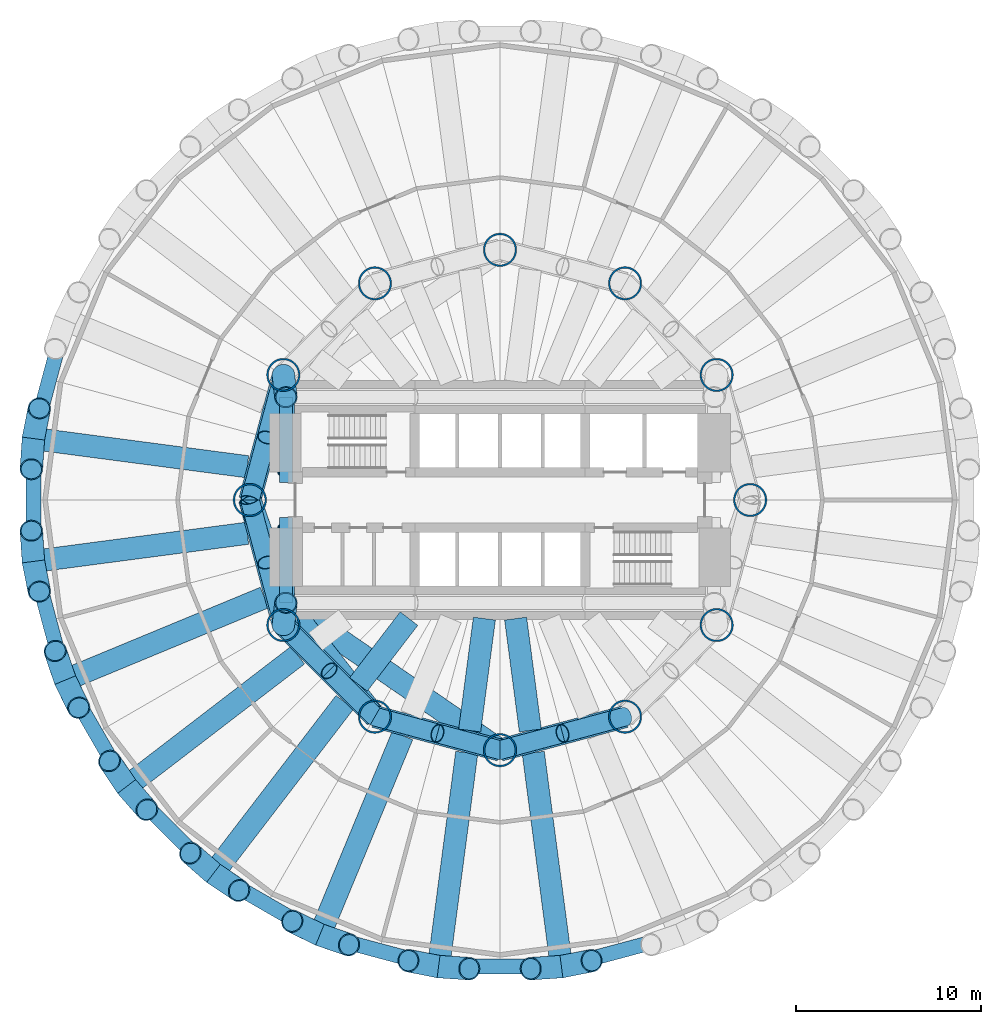
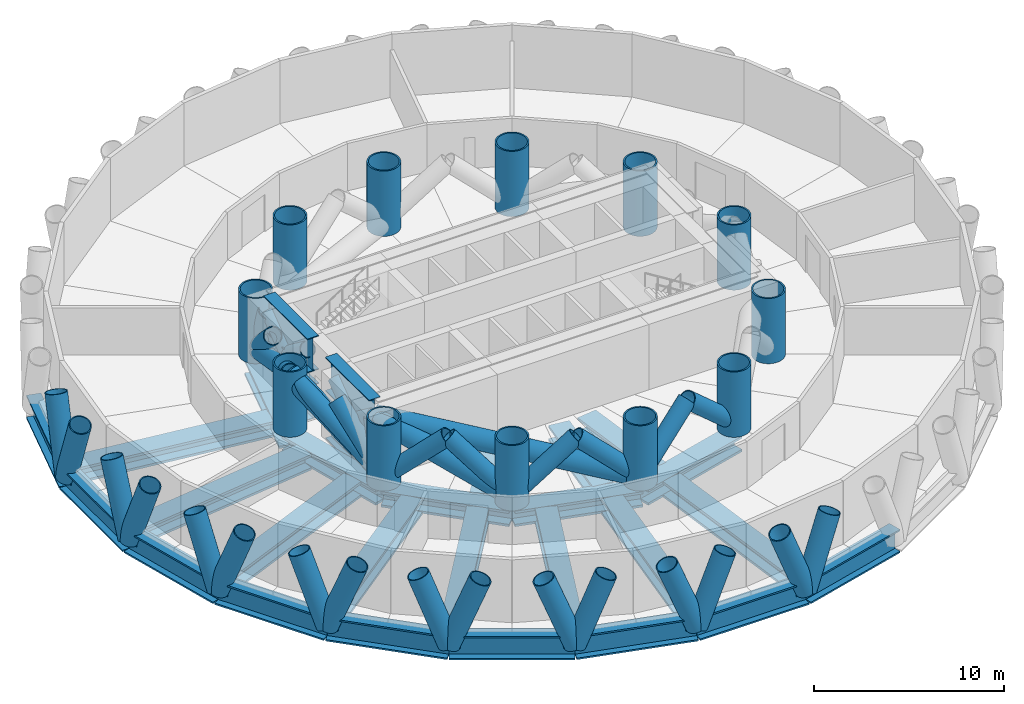
# One storey, part 1 of 7: 35 members, 29 beams, 12 columns.
"""IFC4 building model written with IfcOpenShell, lengths in metres."""

from ifc_helpers import new_model, si_unit, direction, frame, origin, origin_2d, place, context, subcontext, project, spatial, hollow_circle, i_section, extrude, material, material_profile, profile_set, type_object, element, save


model = new_model("IFC4")

# Units and contexts
model_context = context("Model", 3, precision=1e-05, world=origin(), true_north=direction((0.0, 1.0)))
body_context = subcontext(model_context, "Body", "Model", "MODEL_VIEW")
ifc_project = project(units=[si_unit("LENGTHUNIT", "METRE"), si_unit("AREAUNIT", "SQUARE_METRE"), si_unit("VOLUMEUNIT", "CUBIC_METRE"), si_unit("PLANEANGLEUNIT", "RADIAN"), si_unit("MASSUNIT", "GRAM", prefix="KILO")], contexts=[model_context])

# Site, building, storey
site_placement = place(None, origin())
site = spatial("IfcSite", under=ifc_project, at=site_placement, CompositionType="ELEMENT")
building_placement = place(site_placement, origin())
building = spatial("IfcBuilding", under=site, at=building_placement, Name="Qaws Media Tower", CompositionType="ELEMENT")
storey_placement = place(building_placement, frame((0.0, 0.0, 101.60009765625)))
storey = spatial("IfcBuildingStorey", under=building, at=storey_placement, Name="L22", CompositionType="ELEMENT", Elevation=101.60009765625)

# Columns
ifc_material_1 = material(Name="Steel S460", Category="steel")
ifc_material_profile_1 = material_profile(ifc_material_1, hollow_circle(Radius=0.89990234375, WallThickness=0.090087890625, at=origin_2d()), Name="CHS 1800x90")
ifc_profile_set_1 = profile_set([ifc_material_profile_1], Name="Steel S460")
column_type = type_object("IfcColumnType", Name="Inner column CHS 1800x90", PredefinedType="COLUMN", material=ifc_profile_set_1)
for number, where, z_axis, x_axis, name in (
    (1, (73.5, 50.0, 0.0), (0.0, 0.0, 1.0), (1.0, 0.0, 0.0), "C7 inner column I01 L22"),
    (2, (71.69140625, 56.75, 0.0), (0.0, 0.0, 1.0), (1.0, 0.0, 0.0), "C7 inner column I02 L22"),
    (3, (66.75, 61.69140625, 0.0), (0.0, 0.0, 1.0), (1.0, 0.0, 0.0), "C7 inner column I03 L22"),
    (4, (60.0, 63.5, 0.0), (0.0, 0.0, 1.0), (1.0, 0.0, 0.0), "C7 inner column I04 L22"),
    (5, (53.25, 61.69140625, 0.0), (0.0, 0.0, 1.0), (1.0, 0.0, 0.0), "C7 inner column I05 L22"),
    (6, (48.30859375, 56.75, 0.0), (0.0, 0.0, 1.0), (1.0, 0.0, 0.0), "C7 inner column I06 L22"),
    (7, (46.5, 50.0, 0.0), (0.0, 0.0, 1.0), (1.0, 0.0, 0.0), "C7 inner column I07 L22"),
    (8, (48.30859375, 43.25, 0.0), (0.0, 0.0, 1.0), (1.0, 0.0, 0.0), "C7 inner column I08 L22"),
    (9, (53.25, 38.30859375, 0.0), (0.0, 0.0, 1.0), (1.0, 0.0, 0.0), "C7 inner column I09 L22"),
    (10, (60.0, 36.5, 0.0), (0.0, 0.0, 1.0), (1.0, 0.0, 0.0), "C7 inner column I10 L22"),
    (11, (66.75, 38.30859375, 0.0), (0.0, 0.0, 1.0), (1.0, 0.0, 0.0), "C7 inner column I11 L22"),
    (12, (71.69140625, 43.25, 0.0), (0.0, 0.0, 1.0), (1.0, 0.0, 0.0), "C7 inner column I12 L22"),
):
    element("IfcColumn", number, at=place(storey_placement, frame(where, z_axis=z_axis, x_axis=x_axis)), inside=storey, type_object=column_type, Name=name, PredefinedType="COLUMN", context=body_context, shape_type="SweptSolid", body=[
        extrude(hollow_circle(Radius=0.89990234375, WallThickness=0.090087890625, at=origin_2d()), origin(), (0.0, 0.0, 1.0), 4.199951171875),
    ])

# Members
ifc_material_2 = material(Name="Steel S355", Category="steel")
ifc_material_profile_2 = material_profile(ifc_material_2, hollow_circle(Radius=0.508056640625, WallThickness=0.050048828125, at=origin_2d()), Name="CHS 1016x50")
ifc_profile_set_2 = profile_set([ifc_material_profile_2], Name="Steel S355")
member_type_1 = type_object("IfcMemberType", Name="Belt truss diagonal CHS 1016x50", PredefinedType="BRACE", material=ifc_profile_set_2)
member_1_placement = place(storey_placement, frame((48.30859375, 56.75, 0.39990234375), z_axis=(-0.19250251089, -0.718454295502, 0.668405721531), x_axis=(0.965928090778, -0.258810593767, 0.0)))
element("IfcMember", 13, at=member_1_placement, inside=storey, type_object=member_type_1, Name="BT1 belt diagonal L22 I06 to bay I06-I07 apex", PredefinedType="BRACE", context=body_context, shape_type="SweptSolid", body=[
    extrude(hollow_circle(Radius=0.508056640625, WallThickness=0.050048828125, at=origin_2d()), origin(), (0.0, 0.0, 1.0), 4.697509765625),
])
for number, where, z_axis, x_axis, name in (
    (14, (48.30859375, 56.75, 0.39990234375), (-0.23607497664, -0.881074642836, 0.409848849158), (0.965928090778, -0.258810593767, 0.0), "BT1 belt diagonal L22 I06 to the head over I07"),
    (15, (48.30859375, 43.25, 0.39990234375), (-0.23607497664, 0.881074642836, 0.409848849158), (-0.965928090778, -0.258810593767, 0.0), "BT1 belt diagonal L22 I08 to the head over I07"),
):
    element("IfcMember", number, at=place(storey_placement, frame(where, z_axis=z_axis, x_axis=x_axis)), inside=storey, type_object=member_type_1, Name=name, PredefinedType="BRACE", context=body_context, shape_type="SweptSolid", body=[
        extrude(hollow_circle(Radius=0.508056640625, WallThickness=0.050048828125, at=origin_2d()), origin(), (0.0, 0.0, 1.0), 7.6611328125),
    ])
for number, where, z_axis, x_axis, name in (
    (16, (48.30859375, 43.25, 0.39990234375), (-0.19250251089, 0.718454295502, 0.668405721531), (-0.965928090778, -0.258810593767, 0.0), "BT1 belt diagonal L22 I08 to bay I07-I08 apex"),
    (17, (48.30859375, 43.25, 0.39990234375), (0.525947375075, -0.525947375075, 0.668400117672), (0.707106781187, 0.707106781187, 0.0), "BT1 belt diagonal L22 I08 to bay I08-I09 apex"),
    (18, (53.25, 38.30859375, 0.39990234375), (-0.525947375075, 0.525947375075, 0.668400117672), (-0.707106781187, -0.707106781187, 0.0), "BT1 belt diagonal L22 I09 to bay I08-I09 apex"),
    (19, (53.25, 38.30859375, 0.39990234375), (0.718454295502, -0.19250251089, 0.668405721531), (0.258810593767, 0.965928090778, 0.0), "BT1 belt diagonal L22 I09 to bay I09-I10 apex"),
    (20, (60.0, 36.5, 0.39990234375), (-0.718454295502, 0.19250251089, 0.668405721531), (-0.258810593767, -0.965928090778, 0.0), "BT1 belt diagonal L22 I10 to bay I09-I10 apex"),
    (21, (60.0, 36.5, 0.39990234375), (0.718454295502, 0.19250251089, 0.668405721531), (-0.258810593767, 0.965928090778, 0.0), "BT1 belt diagonal L22 I10 to bay I10-I11 apex"),
    (22, (66.75, 38.30859375, 0.39990234375), (-0.718454295502, -0.19250251089, 0.668405721531), (0.258810593767, -0.965928090778, 0.0), "BT1 belt diagonal L22 I11 to bay I10-I11 apex"),
):
    element("IfcMember", number, at=place(storey_placement, frame(where, z_axis=z_axis, x_axis=x_axis)), inside=storey, type_object=member_type_1, Name=name, PredefinedType="BRACE", context=body_context, shape_type="SweptSolid", body=[
        extrude(hollow_circle(Radius=0.508056640625, WallThickness=0.050048828125, at=origin_2d()), origin(), (0.0, 0.0, 1.0), 4.697509765625),
    ])

# Beams
ifc_material_3 = material(Name="Steel S460", Category="steel")
ifc_material_profile_3 = material_profile(ifc_material_3, i_section(OverallWidth=0.699951171875, OverallDepth=2.199951171875, WebThickness=0.028076171875, FlangeThickness=0.06005859375, at=origin_2d()), Name="PG 2200x700")
ifc_profile_set_3 = profile_set([ifc_material_profile_3], Name="Steel S460")
beam_type_1 = type_object("IfcBeamType", Name="Core outrigger truss chord PG 2200x700", PredefinedType="BEAM", material=ifc_profile_set_3)
for number, where, z_axis, x_axis, name in (
    (23, (48.449951171875, 44.449951171875, 0.39990234375), (0.0, 1.0, 0.0), (-1.0, 0.0, 0.0), "CT1 core outrigger truss chord WB1 L22"),
    (24, (48.449951171875, 44.449951171875, 3.449951171875), (0.0, 1.0, 0.0), (-1.0, 0.0, 0.0), "CT1 core outrigger truss chord WT1 L22"),
    (25, (48.449951171875, 50.949951171875, 0.39990234375), (0.0, 1.0, 0.0), (-1.0, 0.0, 0.0), "CT1 core outrigger truss chord WB3 L22"),
    (26, (48.449951171875, 50.949951171875, 3.449951171875), (0.0, 1.0, 0.0), (-1.0, 0.0, 0.0), "CT1 core outrigger truss chord WT3 L22"),
):
    element("IfcBeam", number, at=place(storey_placement, frame(where, z_axis=z_axis, x_axis=x_axis)), inside=storey, type_object=beam_type_1, Name=name, PredefinedType="BEAM", context=body_context, shape_type="SweptSolid", body=[
        extrude(i_section(OverallWidth=0.699951171875, OverallDepth=2.199951171875, WebThickness=0.028076171875, FlangeThickness=0.06005859375, at=origin_2d()), origin(), (0.0, 0.0, 1.0), 4.60009765625),
    ])

# Members
ifc_material_4 = material(Name="Steel S460", Category="steel")
ifc_material_profile_4 = material_profile(ifc_material_4, hollow_circle(Radius=0.45703125, WallThickness=0.044921875, at=origin_2d()), Name="CHS 914x45")
ifc_profile_set_4 = profile_set([ifc_material_profile_4], Name="Steel S460")
member_type_2 = type_object("IfcMemberType", Name="Core outrigger truss diagonal CHS 914x45", PredefinedType="BRACE", material=ifc_profile_set_4)
for number, where, z_axis, x_axis, name in (
    (27, (48.449951171875, 44.449951171875, 0.39990234375), (0.0, 0.798813871515, 0.601578256485), (-1.0, 0.0, 0.0), "CT2 core outrigger truss diagonal W1 L22"),
    (28, (48.449951171875, 48.5, 0.39990234375), (0.0, -0.798813871515, 0.601578256485), (1.0, 0.0, 0.0), "CT2 core outrigger truss diagonal W1b L22"),
    (29, (48.449951171875, 51.5, 0.39990234375), (0.0, 0.798813871515, 0.601578256485), (-1.0, 0.0, 0.0), "CT2 core outrigger truss diagonal W3 L22"),
    (30, (48.449951171875, 55.550048828125, 0.39990234375), (0.0, -0.798813871515, 0.601578256485), (1.0, 0.0, 0.0), "CT2 core outrigger truss diagonal W3b L22"),
):
    element("IfcMember", number, at=place(storey_placement, frame(where, z_axis=z_axis, x_axis=x_axis)), inside=storey, type_object=member_type_2, Name=name, PredefinedType="BRACE", context=body_context, shape_type="SweptSolid", body=[
        extrude(hollow_circle(Radius=0.45703125, WallThickness=0.044921875, at=origin_2d()), origin(), (0.0, 0.0, 1.0), 5.070068359375),
    ])
ifc_material_5 = material(Name="Steel S460", Category="steel")
ifc_material_profile_5 = material_profile(ifc_material_5, hollow_circle(Radius=0.609619140625, WallThickness=0.06005859375, at=origin_2d()), Name="CHS 1219x60")
ifc_profile_set_5 = profile_set([ifc_material_profile_5], Name="Steel S460")
member_type_3 = type_object("IfcMemberType", Name="Diagrid member CHS 1219x60", PredefinedType="USERDEFINED", material=ifc_profile_set_5)
member_2_placement = place(storey_placement, frame((34.8173828125, 53.3154296875, -1.0), z_axis=(-0.024571933581, -0.3602999073, 0.932512840061), x_axis=(0.997682559208, -0.068040510372, 0.0)))
element("IfcMember", 31, at=member_2_placement, inside=storey, type_object=member_type_3, Name="DG1 diagrid L22 A12", ObjectType="DIAGRID", PredefinedType="USERDEFINED", context=body_context, shape_type="SweptSolid", body=[
    extrude(hollow_circle(Radius=0.609619140625, WallThickness=0.06005859375, at=origin_2d()), origin(), (0.0, 0.0, 1.0), 4.600341796875),
])
for number, where, z_axis, x_axis, name in (
    (32, (34.8173828125, 53.3154296875, -1.0), (0.069523813995, 0.354359164921, 0.93252132497), (-0.98129197872, 0.192525459356, 0.0), "DG1 diagrid L22 B12"),
    (33, (34.8173828125, 46.6845703125, -1.0), (0.069523813995, -0.354359164921, 0.93252132497), (0.98129197872, 0.192525459356, 0.0), "DG1 diagrid L22 A13"),
):
    element("IfcMember", number, at=place(storey_placement, frame(where, z_axis=z_axis, x_axis=x_axis)), inside=storey, type_object=member_type_3, Name=name, ObjectType="DIAGRID", PredefinedType="USERDEFINED", context=body_context, shape_type="SweptSolid", body=[
        extrude(hollow_circle(Radius=0.609619140625, WallThickness=0.06005859375, at=origin_2d()), origin(), (0.0, 0.0, 1.0), 4.60009765625),
    ])
member_3_placement = place(storey_placement, frame((34.8173828125, 46.6845703125, -1.0), z_axis=(-0.024571933581, 0.3602999073, 0.932512840061), x_axis=(-0.997682559208, -0.068040510372, 0.0)))
element("IfcMember", 34, at=member_3_placement, inside=storey, type_object=member_type_3, Name="DG1 diagrid L22 B13", ObjectType="DIAGRID", PredefinedType="USERDEFINED", context=body_context, shape_type="SweptSolid", body=[
    extrude(hollow_circle(Radius=0.609619140625, WallThickness=0.06005859375, at=origin_2d()), origin(), (0.0, 0.0, 1.0), 4.600341796875),
])
member_4_placement = place(storey_placement, frame((36.533447265625, 40.27978515625, -1.0), z_axis=(0.158845192173, -0.324271341188, 0.932532199019), x_axis=(0.898042563448, 0.439908574861, 0.0)))
element("IfcMember", 35, at=member_4_placement, inside=storey, type_object=member_type_3, Name="DG1 diagrid L22 A14", ObjectType="DIAGRID", PredefinedType="USERDEFINED", context=body_context, shape_type="SweptSolid", body=[
    extrude(hollow_circle(Radius=0.609619140625, WallThickness=0.06005859375, at=origin_2d()), origin(), (0.0, 0.0, 1.0), 4.60009765625),
])
member_5_placement = place(storey_placement, frame((36.533447265625, 40.27978515625, -1.0), z_axis=(-0.116968678488, 0.341671666109, 0.93251209152), x_axis=(-0.946095269319, -0.323888470578, 0.0)))
element("IfcMember", 36, at=member_5_placement, inside=storey, type_object=member_type_3, Name="DG1 diagrid L22 B14", ObjectType="DIAGRID", PredefinedType="USERDEFINED", context=body_context, shape_type="SweptSolid", body=[
    extrude(hollow_circle(Radius=0.609619140625, WallThickness=0.06005859375, at=origin_2d()), origin(), (0.0, 0.0, 1.0), 4.600341796875),
])
member_6_placement = place(storey_placement, frame((39.848876953125, 34.537353515625, -1.0), z_axis=(0.237390856413, -0.272099915232, 0.932527327976), x_axis=(0.753531878143, 0.657411369404, 0.0)))
element("IfcMember", 37, at=member_6_placement, inside=storey, type_object=member_type_3, Name="DG1 diagrid L22 A15", ObjectType="DIAGRID", PredefinedType="USERDEFINED", context=body_context, shape_type="SweptSolid", body=[
    extrude(hollow_circle(Radius=0.609619140625, WallThickness=0.06005859375, at=origin_2d()), origin(), (0.0, 0.0, 1.0), 4.60009765625),
])
for number, where, z_axis, x_axis, name in (
    (38, (39.848876953125, 34.537353515625, -1.0), (-0.201405781396, 0.299746996923, 0.932516728566), (-0.830032592031, -0.557714887882, 0.0), "DG1 diagrid L22 B15"),
    (39, (44.537353515625, 29.848876953125, -1.0), (0.299746996923, -0.201405781396, 0.932516728566), (0.557714887882, 0.830032592031, 0.0), "DG1 diagrid L22 A16"),
):
    element("IfcMember", number, at=place(storey_placement, frame(where, z_axis=z_axis, x_axis=x_axis)), inside=storey, type_object=member_type_3, Name=name, ObjectType="DIAGRID", PredefinedType="USERDEFINED", context=body_context, shape_type="SweptSolid", body=[
        extrude(hollow_circle(Radius=0.609619140625, WallThickness=0.06005859375, at=origin_2d()), origin(), (0.0, 0.0, 1.0), 4.600341796875),
    ])
member_7_placement = place(storey_placement, frame((44.537353515625, 29.848876953125, -1.0), z_axis=(-0.272099915232, 0.237390856413, 0.932527327976), x_axis=(-0.657411369404, -0.753531878143, 0.0)))
element("IfcMember", 40, at=member_7_placement, inside=storey, type_object=member_type_3, Name="DG1 diagrid L22 B16", ObjectType="DIAGRID", PredefinedType="USERDEFINED", context=body_context, shape_type="SweptSolid", body=[
    extrude(hollow_circle(Radius=0.609619140625, WallThickness=0.06005859375, at=origin_2d()), origin(), (0.0, 0.0, 1.0), 4.60009765625),
])
member_8_placement = place(storey_placement, frame((50.27978515625, 26.533447265625, -1.0), z_axis=(0.341671666109, -0.116968678488, 0.93251209152), x_axis=(0.323888470578, 0.946095269319, 0.0)))
element("IfcMember", 41, at=member_8_placement, inside=storey, type_object=member_type_3, Name="DG1 diagrid L22 A17", ObjectType="DIAGRID", PredefinedType="USERDEFINED", context=body_context, shape_type="SweptSolid", body=[
    extrude(hollow_circle(Radius=0.609619140625, WallThickness=0.06005859375, at=origin_2d()), origin(), (0.0, 0.0, 1.0), 4.600341796875),
])
member_9_placement = place(storey_placement, frame((50.27978515625, 26.533447265625, -1.0), z_axis=(-0.324271341188, 0.158845192173, 0.932532199019), x_axis=(-0.439908574861, -0.898042563448, 0.0)))
element("IfcMember", 42, at=member_9_placement, inside=storey, type_object=member_type_3, Name="DG1 diagrid L22 B17", ObjectType="DIAGRID", PredefinedType="USERDEFINED", context=body_context, shape_type="SweptSolid", body=[
    extrude(hollow_circle(Radius=0.609619140625, WallThickness=0.06005859375, at=origin_2d()), origin(), (0.0, 0.0, 1.0), 4.60009765625),
])
member_10_placement = place(storey_placement, frame((56.6845703125, 24.8173828125, -1.0), z_axis=(0.3602999073, -0.024571933581, 0.932512840061), x_axis=(0.068040510372, 0.997682559208, 0.0)))
element("IfcMember", 43, at=member_10_placement, inside=storey, type_object=member_type_3, Name="DG1 diagrid L22 A18", ObjectType="DIAGRID", PredefinedType="USERDEFINED", context=body_context, shape_type="SweptSolid", body=[
    extrude(hollow_circle(Radius=0.609619140625, WallThickness=0.06005859375, at=origin_2d()), origin(), (0.0, 0.0, 1.0), 4.600341796875),
])
for number, where, z_axis, x_axis, name in (
    (44, (56.6845703125, 24.8173828125, -1.0), (-0.354359164921, 0.069523813995, 0.93252132497), (-0.192525459356, -0.98129197872, 0.0), "DG1 diagrid L22 B18"),
    (45, (63.3154296875, 24.8173828125, -1.0), (0.354359164921, 0.069523813995, 0.93252132497), (-0.192525459356, 0.98129197872, 0.0), "DG1 diagrid L22 A19"),
):
    element("IfcMember", number, at=place(storey_placement, frame(where, z_axis=z_axis, x_axis=x_axis)), inside=storey, type_object=member_type_3, Name=name, ObjectType="DIAGRID", PredefinedType="USERDEFINED", context=body_context, shape_type="SweptSolid", body=[
        extrude(hollow_circle(Radius=0.609619140625, WallThickness=0.06005859375, at=origin_2d()), origin(), (0.0, 0.0, 1.0), 4.60009765625),
    ])
member_11_placement = place(storey_placement, frame((63.3154296875, 24.8173828125, -1.0), z_axis=(-0.3602999073, -0.024571933581, 0.932512840061), x_axis=(0.068040510372, -0.997682559208, 0.0)))
element("IfcMember", 46, at=member_11_placement, inside=storey, type_object=member_type_3, Name="DG1 diagrid L22 B19", ObjectType="DIAGRID", PredefinedType="USERDEFINED", context=body_context, shape_type="SweptSolid", body=[
    extrude(hollow_circle(Radius=0.609619140625, WallThickness=0.06005859375, at=origin_2d()), origin(), (0.0, 0.0, 1.0), 4.600341796875),
])

# Beams
ifc_material_6 = material(Name="Steel S460", Category="steel")
ifc_material_profile_6 = material_profile(ifc_material_6, i_section(OverallWidth=0.800048828125, OverallDepth=1.5, WebThickness=0.0400390625, FlangeThickness=0.10009765625, at=origin_2d()), Name="PG 1500x800")
ifc_profile_set_6 = profile_set([ifc_material_profile_6], Name="Steel S460")
beam_type_2 = type_object("IfcBeamType", Name="Edge ring beam PG 1500x800", PredefinedType="BEAM", material=ifc_profile_set_6)
beam_1_placement = place(storey_placement, frame((36.533447265625, 59.72021484375, -1.0), z_axis=(-0.258806021256, -0.965929315924, 0.0), x_axis=(0.965929315924, -0.258806021256, 0.0)))
element("IfcBeam", 47, at=beam_1_placement, inside=storey, type_object=beam_type_2, Name="RB7 edge ring beam L22-11", PredefinedType="BEAM", context=body_context, shape_type="SweptSolid", body=[
    extrude(i_section(OverallWidth=0.800048828125, OverallDepth=1.5, WebThickness=0.0400390625, FlangeThickness=0.10009765625, at=origin_2d()), origin(), (0.0, 0.0, 1.0), 6.630615234375),
])
beam_2_placement = place(storey_placement, frame((34.8173828125, 53.3154296875, -1.0), z_axis=(0.0, -1.0, 0.0), x_axis=(1.0, 0.0, 0.0)))
element("IfcBeam", 48, at=beam_2_placement, inside=storey, type_object=beam_type_2, Name="RB7 edge ring beam L22-12", PredefinedType="BEAM", context=body_context, shape_type="SweptSolid", body=[
    extrude(i_section(OverallWidth=0.800048828125, OverallDepth=1.5, WebThickness=0.0400390625, FlangeThickness=0.10009765625, at=origin_2d()), origin(), (0.0, 0.0, 1.0), 6.630859375),
])
beam_3_placement = place(storey_placement, frame((34.8173828125, 46.6845703125, -1.0), z_axis=(0.258806021256, -0.965929315924, 0.0), x_axis=(0.965929315924, 0.258806021256, 0.0)))
element("IfcBeam", 49, at=beam_3_placement, inside=storey, type_object=beam_type_2, Name="RB7 edge ring beam L22-13", PredefinedType="BEAM", context=body_context, shape_type="SweptSolid", body=[
    extrude(i_section(OverallWidth=0.800048828125, OverallDepth=1.5, WebThickness=0.0400390625, FlangeThickness=0.10009765625, at=origin_2d()), origin(), (0.0, 0.0, 1.0), 6.630615234375),
])
beam_4_placement = place(storey_placement, frame((36.533447265625, 40.27978515625, -1.0), z_axis=(0.500003985254, -0.866023102884, 0.0), x_axis=(0.866023102884, 0.500003985254, 0.0)))
element("IfcBeam", 50, at=beam_4_placement, inside=storey, type_object=beam_type_2, Name="RB7 edge ring beam L22-14", PredefinedType="BEAM", context=body_context, shape_type="SweptSolid", body=[
    extrude(i_section(OverallWidth=0.800048828125, OverallDepth=1.5, WebThickness=0.0400390625, FlangeThickness=0.10009765625, at=origin_2d()), origin(), (0.0, 0.0, 1.0), 6.630859375),
])
beam_5_placement = place(storey_placement, frame((39.848876953125, 34.537353515625, -1.0), z_axis=(0.707106781187, -0.707106781187, 0.0), x_axis=(0.707106781187, 0.707106781187, 0.0)))
element("IfcBeam", 51, at=beam_5_placement, inside=storey, type_object=beam_type_2, Name="RB7 edge ring beam L22-15", PredefinedType="BEAM", context=body_context, shape_type="SweptSolid", body=[
    extrude(i_section(OverallWidth=0.800048828125, OverallDepth=1.5, WebThickness=0.0400390625, FlangeThickness=0.10009765625, at=origin_2d()), origin(), (0.0, 0.0, 1.0), 6.630615234375),
])
beam_6_placement = place(storey_placement, frame((44.537353515625, 29.848876953125, -1.0), z_axis=(0.866023102884, -0.500003985254, 0.0), x_axis=(0.500003985254, 0.866023102884, 0.0)))
element("IfcBeam", 52, at=beam_6_placement, inside=storey, type_object=beam_type_2, Name="RB7 edge ring beam L22-16", PredefinedType="BEAM", context=body_context, shape_type="SweptSolid", body=[
    extrude(i_section(OverallWidth=0.800048828125, OverallDepth=1.5, WebThickness=0.0400390625, FlangeThickness=0.10009765625, at=origin_2d()), origin(), (0.0, 0.0, 1.0), 6.630859375),
])
beam_7_placement = place(storey_placement, frame((50.27978515625, 26.533447265625, -1.0), z_axis=(0.965929315924, -0.258806021256, 0.0), x_axis=(0.258806021256, 0.965929315924, 0.0)))
element("IfcBeam", 53, at=beam_7_placement, inside=storey, type_object=beam_type_2, Name="RB7 edge ring beam L22-17", PredefinedType="BEAM", context=body_context, shape_type="SweptSolid", body=[
    extrude(i_section(OverallWidth=0.800048828125, OverallDepth=1.5, WebThickness=0.0400390625, FlangeThickness=0.10009765625, at=origin_2d()), origin(), (0.0, 0.0, 1.0), 6.630615234375),
])
beam_8_placement = place(storey_placement, frame((56.6845703125, 24.8173828125, -1.0), z_axis=(1.0, 0.0, 0.0), x_axis=(0.0, 1.0, 0.0)))
element("IfcBeam", 54, at=beam_8_placement, inside=storey, type_object=beam_type_2, Name="RB7 edge ring beam L22-18", PredefinedType="BEAM", context=body_context, shape_type="SweptSolid", body=[
    extrude(i_section(OverallWidth=0.800048828125, OverallDepth=1.5, WebThickness=0.0400390625, FlangeThickness=0.10009765625, at=origin_2d()), origin(), (0.0, 0.0, 1.0), 6.630859375),
])
beam_9_placement = place(storey_placement, frame((63.3154296875, 24.8173828125, -1.0), z_axis=(0.965929315924, 0.258806021256, 0.0), x_axis=(-0.258806021256, 0.965929315924, 0.0)))
element("IfcBeam", 55, at=beam_9_placement, inside=storey, type_object=beam_type_2, Name="RB7 edge ring beam L22-19", PredefinedType="BEAM", context=body_context, shape_type="SweptSolid", body=[
    extrude(i_section(OverallWidth=0.800048828125, OverallDepth=1.5, WebThickness=0.0400390625, FlangeThickness=0.10009765625, at=origin_2d()), origin(), (0.0, 0.0, 1.0), 6.630615234375),
])
ifc_material_7 = material(Name="Steel S460", Category="steel")
ifc_material_profile_7 = material_profile(ifc_material_7, i_section(OverallWidth=1.199951171875, OverallDepth=1.0, WebThickness=0.06005859375, FlangeThickness=0.14990234375, at=origin_2d()), Name="PG 1000x1200")
ifc_profile_set_7 = profile_set([ifc_material_profile_7], Name="Steel S460")
beam_type_3 = type_object("IfcBeamType", Name="Inner ring girder PG 1000x1200", PredefinedType="BEAM", material=ifc_profile_set_7)
for number, where, z_axis, x_axis, name in (
    (56, (48.30859375, 56.75, -0.75), (-0.258810593767, -0.965928090778, 0.0), (0.965928090778, -0.258810593767, 0.0), "B3 inner ring beam L22 I06-I07"),
    (57, (46.5, 50.0, -0.75), (0.258810593767, -0.965928090778, 0.0), (0.965928090778, 0.258810593767, 0.0), "B3 inner ring beam L22 I07-I08"),
):
    element("IfcBeam", number, at=place(storey_placement, frame(where, z_axis=z_axis, x_axis=x_axis)), inside=storey, type_object=beam_type_3, Name=name, PredefinedType="BEAM", context=body_context, shape_type="SweptSolid", body=[
        extrude(i_section(OverallWidth=1.199951171875, OverallDepth=1.0, WebThickness=0.06005859375, FlangeThickness=0.14990234375, at=origin_2d()), origin(), (0.0, 0.0, 1.0), 6.988037109375),
    ])
beam_10_placement = place(storey_placement, frame((48.30859375, 43.25, -0.75), z_axis=(0.707106781187, -0.707106781187, 0.0), x_axis=(0.707106781187, 0.707106781187, 0.0)))
element("IfcBeam", 58, at=beam_10_placement, inside=storey, type_object=beam_type_3, Name="B3 inner ring beam L22 I08-I09", PredefinedType="BEAM", context=body_context, shape_type="SweptSolid", body=[
    extrude(i_section(OverallWidth=1.199951171875, OverallDepth=1.0, WebThickness=0.06005859375, FlangeThickness=0.14990234375, at=origin_2d()), origin(), (0.0, 0.0, 1.0), 6.98828125),
])
for number, where, z_axis, x_axis, name in (
    (59, (53.25, 38.30859375, -0.75), (0.965928090778, -0.258810593767, 0.0), (0.258810593767, 0.965928090778, 0.0), "B3 inner ring beam L22 I09-I10"),
    (60, (60.0, 36.5, -0.75), (0.965928090778, 0.258810593767, 0.0), (-0.258810593767, 0.965928090778, 0.0), "B3 inner ring beam L22 I10-I11"),
):
    element("IfcBeam", number, at=place(storey_placement, frame(where, z_axis=z_axis, x_axis=x_axis)), inside=storey, type_object=beam_type_3, Name=name, PredefinedType="BEAM", context=body_context, shape_type="SweptSolid", body=[
        extrude(i_section(OverallWidth=1.199951171875, OverallDepth=1.0, WebThickness=0.06005859375, FlangeThickness=0.14990234375, at=origin_2d()), origin(), (0.0, 0.0, 1.0), 6.988037109375),
    ])

# Members
ifc_material_8 = material(Name="Steel S355", Category="steel")
ifc_material_profile_8 = material_profile(ifc_material_8, hollow_circle(Radius=0.609619140625, WallThickness=0.06005859375, at=origin_2d()), Name="CHS 1219x60")
ifc_profile_set_8 = profile_set([ifc_material_profile_8], Name="Steel S355")
member_type_4 = type_object("IfcMemberType", Name="Outrigger diagonal CHS 1219x60", PredefinedType="BRACE", material=ifc_profile_set_8)
member_12_placement = place(storey_placement, frame((48.449951171875, 55.550048828125, 3.449951171875), z_axis=(-0.043088239804, 0.365766318886, -0.929708773519), x_axis=(-0.99313266225, -0.116993654414, 0.0)))
element("IfcMember", 61, at=member_12_placement, inside=storey, type_object=member_type_4, Name="OT1 outrigger diagonal L22 I06", PredefinedType="BRACE", context=body_context, shape_type="SweptSolid", body=[
    extrude(hollow_circle(Radius=0.609619140625, WallThickness=0.06005859375, at=origin_2d()), origin(), (0.0, 0.0, 1.0), 3.28076171875),
])
member_13_placement = place(storey_placement, frame((48.449951171875, 44.449951171875, 0.39990234375), z_axis=(-0.294273510221, 0.837576024521, 0.460292846274), x_axis=(-0.943463647565, -0.331476010782, 0.0)))
element("IfcMember", 62, at=member_13_placement, inside=storey, type_object=member_type_4, Name="OT1 outrigger diagonal L22 I07", PredefinedType="BRACE", context=body_context, shape_type="SweptSolid", body=[
    extrude(hollow_circle(Radius=0.609619140625, WallThickness=0.06005859375, at=origin_2d()), origin(), (0.0, 0.0, 1.0), 6.626220703125),
])
member_14_placement = place(storey_placement, frame((48.449951171875, 44.449951171875, 3.449951171875), z_axis=(-0.043088239804, -0.365766318886, -0.929708773519), x_axis=(0.99313266225, -0.116993654414, 0.0)))
element("IfcMember", 63, at=member_14_placement, inside=storey, type_object=member_type_4, Name="OT1 outrigger diagonal L22 I08", PredefinedType="BRACE", context=body_context, shape_type="SweptSolid", body=[
    extrude(hollow_circle(Radius=0.609619140625, WallThickness=0.06005859375, at=origin_2d()), origin(), (0.0, 0.0, 1.0), 3.28076171875),
])
member_15_placement = place(storey_placement, frame((48.449951171875, 44.449951171875, 3.449951171875), z_axis=(0.573471740928, -0.73372064712, -0.36439562888), x_axis=(0.787892820552, 0.615812392959, 0.0)))
element("IfcMember", 64, at=member_15_placement, inside=storey, type_object=member_type_4, Name="OT1 outrigger diagonal L22 I09", PredefinedType="BRACE", context=body_context, shape_type="SweptSolid", body=[
    extrude(hollow_circle(Radius=0.609619140625, WallThickness=0.06005859375, at=origin_2d()), origin(), (0.0, 0.0, 1.0), 8.3701171875),
])
member_16_placement = place(storey_placement, frame((48.449951171875, 44.449951171875, 3.449951171875), z_axis=(0.804909498684, -0.554022871032, -0.212554363167), x_axis=(0.566978765133, 0.823732407938, 0.0)))
element("IfcMember", 65, at=member_16_placement, inside=storey, type_object=member_type_4, Name="OT1 outrigger diagonal L22 I10", PredefinedType="BRACE", context=body_context, shape_type="SweptSolid", body=[
    extrude(hollow_circle(Radius=0.609619140625, WallThickness=0.06005859375, at=origin_2d()), origin(), (0.0, 0.0, 1.0), 14.349609375),
])

# Beams
ifc_material_9 = material(Name="Steel S355", Category="steel")
ifc_material_profile_9 = material_profile(ifc_material_9, i_section(OverallWidth=1.199951171875, OverallDepth=1.0, WebThickness=0.06005859375, FlangeThickness=0.14990234375, at=origin_2d()), Name="PG 1000x1200")
ifc_profile_set_9 = profile_set([ifc_material_profile_9], Name="Steel S355")
beam_type_4 = type_object("IfcBeamType", Name="Plant floor beam PG 1000x1200", PredefinedType="BEAM", material=ifc_profile_set_9)
for number, where, z_axis, x_axis, name in (
    (66, (46.360107421875, 51.795654296875, -0.75), (-0.99144322881, 0.130538592173, 0.0), (-0.130538592173, -0.99144322881, 0.0), "B1 radial beam L22 12"),
    (67, (46.360107421875, 48.204345703125, -0.75), (-0.99144322881, -0.130538592173, 0.0), (0.130538592173, -0.99144322881, 0.0), "B1 radial beam L22 13"),
    (68, (47.28955078125, 44.735107421875, -0.75), (-0.923879583798, -0.382683308549, 0.0), (0.382683308549, -0.923879583798, 0.0), "B1 radial beam L22 14"),
):
    element("IfcBeam", number, at=place(storey_placement, frame(where, z_axis=z_axis, x_axis=x_axis)), inside=storey, type_object=beam_type_4, Name=name, PredefinedType="BEAM", context=body_context, shape_type="SweptSolid", body=[
        extrude(i_section(OverallWidth=1.199951171875, OverallDepth=1.0, WebThickness=0.06005859375, FlangeThickness=0.14990234375, at=origin_2d()), origin(), (0.0, 0.0, 1.0), 11.642333984375),
    ])
for number, where, z_axis, x_axis, name in (
    (69, (49.085205078125, 41.624755859375, -0.75), (-0.793348424287, -0.608767835617, 0.0), (0.608767835617, -0.793348424287, 0.0), "B1 radial beam L22 15"),
    (70, (51.624755859375, 39.085205078125, -0.75), (-0.608767835617, -0.793348424287, 0.0), (0.793348424287, -0.608767835617, 0.0), "B1 radial beam L22 16"),
):
    element("IfcBeam", number, at=place(storey_placement, frame(where, z_axis=z_axis, x_axis=x_axis)), inside=storey, type_object=beam_type_4, Name=name, PredefinedType="BEAM", context=body_context, shape_type="SweptSolid", body=[
        extrude(i_section(OverallWidth=1.199951171875, OverallDepth=1.0, WebThickness=0.06005859375, FlangeThickness=0.14990234375, at=origin_2d()), origin(), (0.0, 0.0, 1.0), 11.64208984375),
    ])
beam_11_placement = place(storey_placement, frame((55.089111328125, 43.60009765625, -0.75), z_axis=(-0.608751793694, -0.793360733636, 0.0), x_axis=(0.793360733636, -0.608751793694, 0.0)))
element("IfcBeam", 71, at=beam_11_placement, inside=storey, type_object=beam_type_4, Name="B6 radial beam L22 16", PredefinedType="BEAM", context=body_context, shape_type="SweptSolid", body=[
    extrude(i_section(OverallWidth=1.199951171875, OverallDepth=1.0, WebThickness=0.06005859375, FlangeThickness=0.14990234375, at=origin_2d()), origin(), (0.0, 0.0, 1.0), 4.48046875),
])
for number, where, z_axis, x_axis, name in (
    (72, (54.735107421875, 37.28955078125, -0.75), (-0.382683308549, -0.923879583798, 0.0), (0.923879583798, -0.382683308549, 0.0), "B1 radial beam L22 17"),
    (73, (58.204345703125, 36.360107421875, -0.75), (-0.130538592173, -0.99144322881, 0.0), (0.99144322881, -0.130538592173, 0.0), "B1 radial beam L22 18"),
):
    element("IfcBeam", number, at=place(storey_placement, frame(where, z_axis=z_axis, x_axis=x_axis)), inside=storey, type_object=beam_type_4, Name=name, PredefinedType="BEAM", context=body_context, shape_type="SweptSolid", body=[
        extrude(i_section(OverallWidth=1.199951171875, OverallDepth=1.0, WebThickness=0.06005859375, FlangeThickness=0.14990234375, at=origin_2d()), origin(), (0.0, 0.0, 1.0), 11.642333984375),
    ])
beam_12_placement = place(storey_placement, frame((59.157470703125, 43.60009765625, -0.75), z_axis=(-0.130522930957, -0.991445290722, 0.0), x_axis=(0.991445290722, -0.130522930957, 0.0)))
element("IfcBeam", 74, at=beam_12_placement, inside=storey, type_object=beam_type_4, Name="B6 radial beam L22 18", PredefinedType="BEAM", context=body_context, shape_type="SweptSolid", body=[
    extrude(i_section(OverallWidth=1.199951171875, OverallDepth=1.0, WebThickness=0.06005859375, FlangeThickness=0.14990234375, at=origin_2d()), origin(), (0.0, 0.0, 1.0), 6.092041015625),
])
beam_13_placement = place(storey_placement, frame((61.795654296875, 36.360107421875, -0.75), z_axis=(0.130538592173, -0.99144322881, 0.0), x_axis=(0.99144322881, 0.130538592173, 0.0)))
element("IfcBeam", 75, at=beam_13_placement, inside=storey, type_object=beam_type_4, Name="B1 radial beam L22 19", PredefinedType="BEAM", context=body_context, shape_type="SweptSolid", body=[
    extrude(i_section(OverallWidth=1.199951171875, OverallDepth=1.0, WebThickness=0.06005859375, FlangeThickness=0.14990234375, at=origin_2d()), origin(), (0.0, 0.0, 1.0), 11.642333984375),
])
beam_14_placement = place(storey_placement, frame((60.842529296875, 43.60009765625, -0.75), z_axis=(0.130522930957, -0.991445290722, 0.0), x_axis=(0.991445290722, 0.130522930957, 0.0)))
element("IfcBeam", 76, at=beam_14_placement, inside=storey, type_object=beam_type_4, Name="B6 radial beam L22 19", PredefinedType="BEAM", context=body_context, shape_type="SweptSolid", body=[
    extrude(i_section(OverallWidth=1.199951171875, OverallDepth=1.0, WebThickness=0.06005859375, FlangeThickness=0.14990234375, at=origin_2d()), origin(), (0.0, 0.0, 1.0), 6.092041015625),
])

save(model, "model.ifc")
